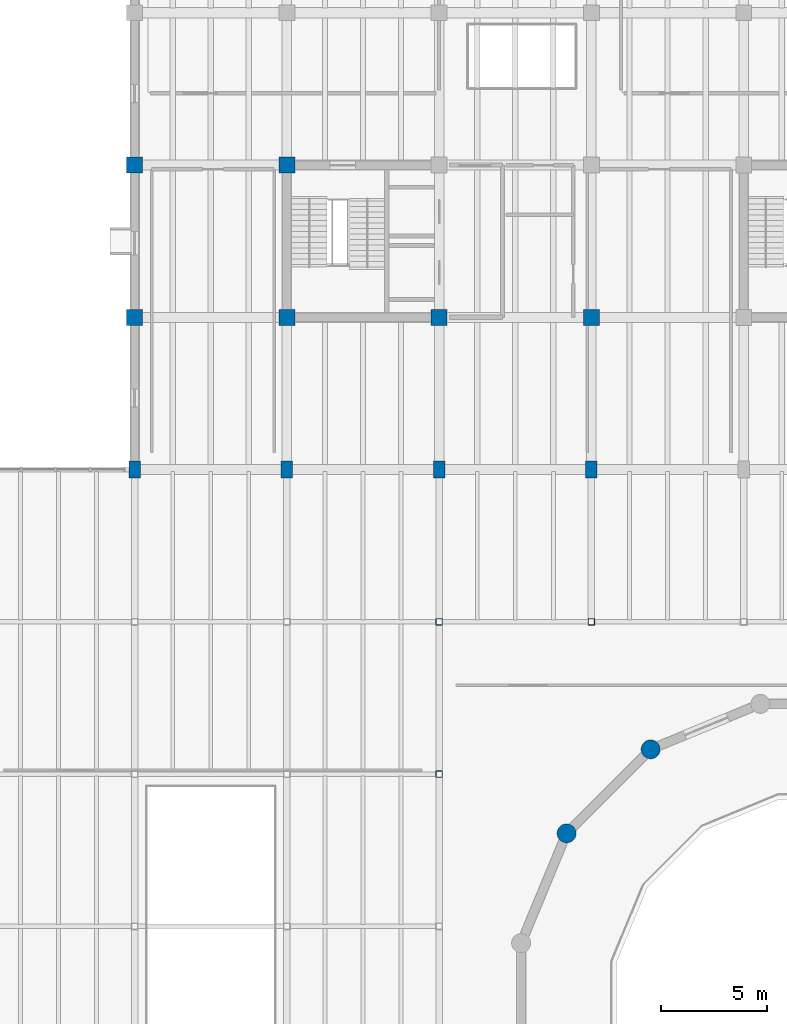
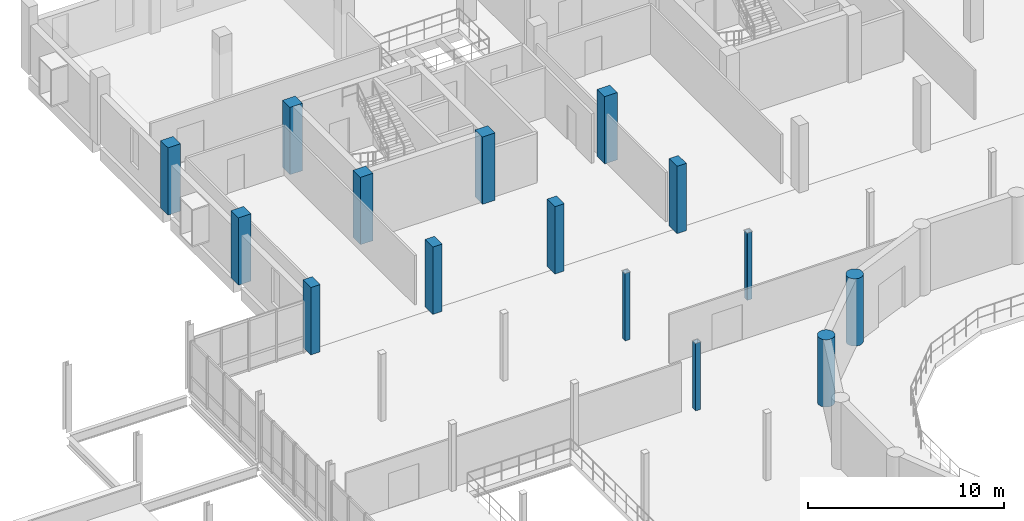
# One storey, part 10 of 72: 15 columns.
"""IFC4 building model written with IfcOpenShell, lengths in metres."""

from ifc_helpers import new_model, si_unit, direction, frame, origin, origin_2d, place, context, subcontext, project, spatial, rectangle, hollow_rectangle, circle, extrude, material, material_profile, profile_set, type_object, element, save


model = new_model("IFC4")

# Units and contexts
model_context = context("Model", 3, precision=1e-05, world=origin(), true_north=direction((0.0, 1.0)))
body_context = subcontext(model_context, "Body", "Model", "MODEL_VIEW")
ifc_project = project(units=[si_unit("LENGTHUNIT", "METRE"), si_unit("AREAUNIT", "SQUARE_METRE"), si_unit("VOLUMEUNIT", "CUBIC_METRE"), si_unit("PLANEANGLEUNIT", "RADIAN"), si_unit("MASSUNIT", "GRAM", prefix="KILO")], contexts=[model_context])

# Site, building, storey
site_placement = place(None, origin())
site = spatial("IfcSite", under=ifc_project, at=site_placement, CompositionType="ELEMENT")
building_placement = place(site_placement, origin())
building = spatial("IfcBuilding", under=site, at=building_placement, Name="Qiaolan Assembly House", CompositionType="ELEMENT")
storey_placement = place(building_placement, frame((0.0, 0.0, 10.199951171875)))
storey = spatial("IfcBuildingStorey", under=building, at=storey_placement, Name="L02", CompositionType="ELEMENT", Elevation=10.199951171875)

# Columns
ifc_material_1 = material(Name="Concrete C50/60", Category="concrete")
ifc_material_profile_1 = material_profile(ifc_material_1, circle(Radius=0.449951171875, at=origin_2d()), Name="CIRC D900")
ifc_profile_set_1 = profile_set([ifc_material_profile_1], Name="Concrete C50/60")
column_type_1 = type_object("IfcColumnType", Name="COL-DRUM-D900", PredefinedType="COLUMN", material=ifc_profile_set_1)
for number, where, z_axis, x_axis, name in (
    (1, (60.39990234375, 73.173095703125, 0.0), (0.0, 0.0, 1.0), (1.0, 0.0, 0.0), "DC-03 chamber drum pier 6 L02"),
    (2, (56.4267578125, 69.2001953125, 0.0), (0.0, 0.0, 1.0), (1.0, 0.0, 0.0), "DC-03 chamber drum pier 7 L02"),
):
    element("IfcColumn", number, at=place(storey_placement, frame(where, z_axis=z_axis, x_axis=x_axis)), inside=storey, type_object=column_type_1, Name=name, PredefinedType="COLUMN", context=body_context, shape_type="SweptSolid", body=[
        extrude(circle(Radius=0.449951171875, at=origin_2d()), origin(), (0.0, 0.0, 1.0), 4.199951171875),
    ])
ifc_material_2 = material(Name="Concrete C45/55", Category="concrete")
ifc_material_profile_2 = material_profile(ifc_material_2, rectangle(XDim=0.75, YDim=0.75, at=origin_2d()), Name="RC 750x750")
ifc_profile_set_2 = profile_set([ifc_material_profile_2], Name="Concrete C45/55")
column_type_2 = type_object("IfcColumnType", Name="COL-RC-750", PredefinedType="COLUMN", material=ifc_profile_set_2)
for number, where, z_axis, x_axis, name in (
    (3, (36.0, 93.60009765625, 0.0), (0.0, 0.0, 1.0), (1.0, 0.0, 0.0), "RC-06 column NW L02"),
    (4, (36.0, 100.800048828125, 0.0), (0.0, 0.0, 1.0), (1.0, 0.0, 0.0), "RC-06 column NW L02"),
    (5, (43.199951171875, 93.60009765625, 0.0), (0.0, 0.0, 1.0), (1.0, 0.0, 0.0), "RC-06 column NW L02"),
    (6, (43.199951171875, 100.800048828125, 0.0), (0.0, 0.0, 1.0), (1.0, 0.0, 0.0), "RC-06 column NW L02"),
    (7, (50.39990234375, 93.60009765625, 0.0), (0.0, 0.0, 1.0), (1.0, 0.0, 0.0), "RC-06 column NW L02"),
    (8, (57.60009765625, 93.60009765625, 0.0), (0.0, 0.0, 1.0), (1.0, 0.0, 0.0), "RC-06 column NW L02"),
):
    element("IfcColumn", number, at=place(storey_placement, frame(where, z_axis=z_axis, x_axis=x_axis)), inside=storey, type_object=column_type_2, Name=name, PredefinedType="COLUMN", context=body_context, shape_type="SweptSolid", body=[
        extrude(rectangle(XDim=0.75, YDim=0.75, at=origin_2d()), origin(), (0.0, 0.0, 1.0), 4.199951171875),
    ])
ifc_material_profile_3 = material_profile(ifc_material_2, rectangle(XDim=0.550048828125, YDim=0.800048828125, at=origin_2d()), Name="RC 800x550")
ifc_profile_set_3 = profile_set([ifc_material_profile_3], Name="Concrete C45/55")
column_type_3 = type_object("IfcColumnType", Name="COL-RC-800x550", PredefinedType="COLUMN", material=ifc_profile_set_3)
for number, where, z_axis, x_axis, name in (
    (9, (36.0, 86.39990234375, 0.0), (0.0, 0.0, 1.0), (1.0, 0.0, 0.0), "RC-14 column NW L02"),
    (10, (43.199951171875, 86.39990234375, 0.0), (0.0, 0.0, 1.0), (1.0, 0.0, 0.0), "RC-14 column NW L02"),
    (11, (50.39990234375, 86.39990234375, 0.0), (0.0, 0.0, 1.0), (1.0, 0.0, 0.0), "RC-14 column NW L02"),
    (12, (57.60009765625, 86.39990234375, 0.0), (0.0, 0.0, 1.0), (1.0, 0.0, 0.0), "RC-14 column NW L02"),
):
    element("IfcColumn", number, at=place(storey_placement, frame(where, z_axis=z_axis, x_axis=x_axis)), inside=storey, type_object=column_type_3, Name=name, PredefinedType="COLUMN", context=body_context, shape_type="SweptSolid", body=[
        extrude(rectangle(XDim=0.550048828125, YDim=0.800048828125, at=origin_2d()), origin(), (0.0, 0.0, 1.0), 4.199951171875),
    ])
ifc_material_3 = material(Name="Steel Q355B", Category="steel")
ifc_material_profile_4 = material_profile(ifc_material_3, hollow_rectangle(XDim=0.300048828125, YDim=0.300048828125, WallThickness=0.011962890625, InnerFilletRadius=0.011962890625, OuterFilletRadius=0.02392578125, at=origin_2d()), Name="SHS 300x300x12")
ifc_profile_set_4 = profile_set([ifc_material_profile_4], Name="Steel Q355B")
column_type_4 = type_object("IfcColumnType", Name="COL-STL-SHS300", PredefinedType="COLUMN", material=ifc_profile_set_4)
for number, where, z_axis, x_axis, name in (
    (13, (50.39990234375, 72.0, 0.0), (0.0, 0.0, 1.0), (1.0, 0.0, 0.0), "SC-05 hall column L02"),
    (14, (50.39990234375, 79.199951171875, 0.0), (0.0, 0.0, 1.0), (1.0, 0.0, 0.0), "SC-05 hall column L02"),
    (15, (57.60009765625, 79.199951171875, 0.0), (0.0, 0.0, 1.0), (1.0, 0.0, 0.0), "SC-05 hall column L02"),
):
    element("IfcColumn", number, at=place(storey_placement, frame(where, z_axis=z_axis, x_axis=x_axis)), inside=storey, type_object=column_type_4, Name=name, PredefinedType="COLUMN", context=body_context, shape_type="SweptSolid", body=[
        extrude(hollow_rectangle(XDim=0.300048828125, YDim=0.300048828125, WallThickness=0.011962890625, InnerFilletRadius=0.011962890625, OuterFilletRadius=0.02392578125, at=origin_2d()), origin(), (0.0, 0.0, 1.0), 4.199951171875),
    ])

save(model, "model.ifc")
